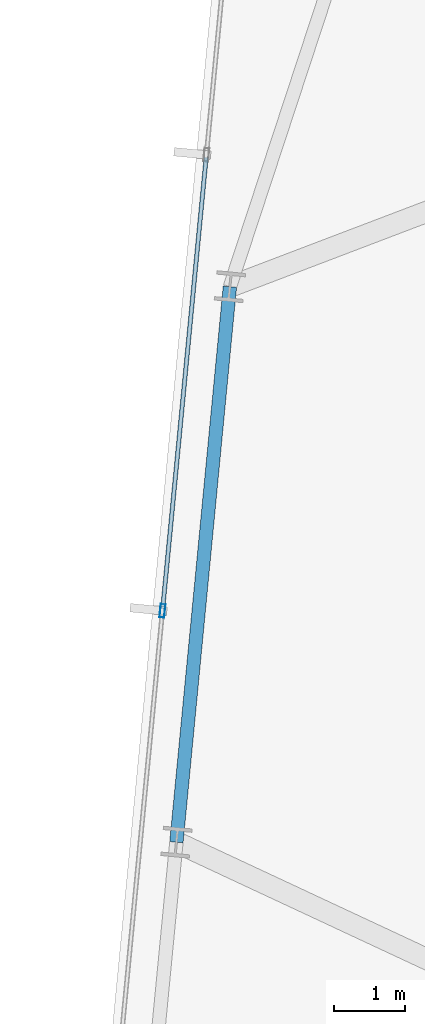
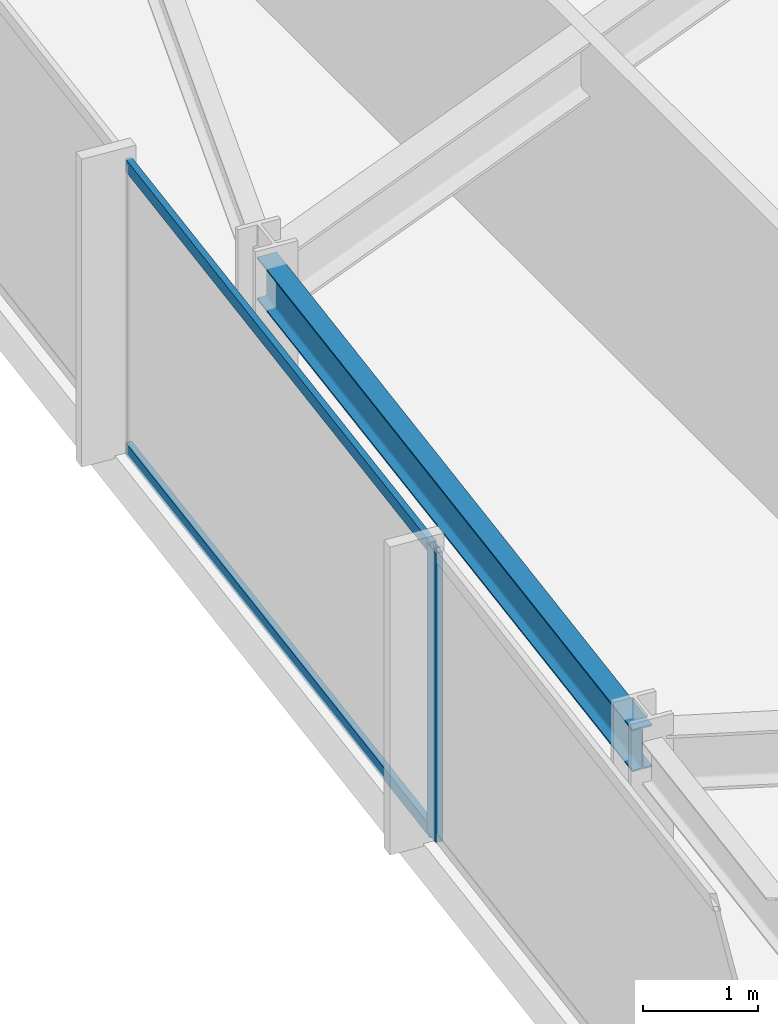
# One storey, part 10 of 37: 3 members, 1 beam, 1 element without a shape of its own.
"""IFC4 building model written with IfcOpenShell, lengths in metres."""

from ifc_helpers import new_model, si_unit, direction, frame, origin, origin_2d, place, context, subcontext, project, spatial, hollow_rectangle, i_section, extrude, material, material_profile, profile_set, type_object, element, aggregate, save


model = new_model("IFC4")

# Units and contexts
model_context = context("Model", 3, precision=1e-05, world=origin(), true_north=direction((0.0, 1.0)))
body_context = subcontext(model_context, "Body", "Model", "MODEL_VIEW")
ifc_project = project(units=[si_unit("LENGTHUNIT", "METRE"), si_unit("AREAUNIT", "SQUARE_METRE"), si_unit("VOLUMEUNIT", "CUBIC_METRE"), si_unit("PLANEANGLEUNIT", "RADIAN"), si_unit("MASSUNIT", "GRAM", prefix="KILO")], contexts=[model_context])

# Site, building, storey
site_placement = place(None, origin())
site = spatial("IfcSite", under=ifc_project, at=site_placement, CompositionType="ELEMENT")
building_placement = place(site_placement, origin())
building = spatial("IfcBuilding", under=site, at=building_placement, Name="Yelkora Congress Tower", CompositionType="ELEMENT")
storey_placement = place(building_placement, frame((0.0, 0.0, 149.0)))
storey = spatial("IfcBuildingStorey", under=building, at=storey_placement, Name="L40", CompositionType="ELEMENT", Elevation=149.0)

# Beam
ifc_material_1 = material(Name="Steel S355J2", Category="steel")
ifc_material_profile_1 = material_profile(ifc_material_1, i_section(OverallWidth=0.18994140625, OverallDepth=0.449951171875, WebThickness=0.009521484375, FlangeThickness=0.0146484375, FilletRadius=0.02099609375, at=origin_2d()), Name="IPE 450")
ifc_profile_set_1 = profile_set([ifc_material_profile_1], Name="Steel S355J2")
beam_type = type_object("IfcBeamType", Name="BM-SPAN-IPE450", PredefinedType="SPANDREL", material=ifc_profile_set_1)
beam_placement = place(storey_placement, frame((4.121826171875, 40.4580078125, 2.85498046875), z_axis=(-0.095864922257, -0.995394352345, 0.0), x_axis=(0.995394352345, -0.095864922257, 0.0)))
element("IfcBeam", 1, at=beam_placement, inside=storey, type_object=beam_type, Name="L40 Perimeter Beam 17", PredefinedType="SPANDREL", context=body_context, shape_type="SweptSolid", body=[
    extrude(i_section(OverallWidth=0.18994140625, OverallDepth=0.449951171875, WebThickness=0.009521484375, FlangeThickness=0.0146484375, FilletRadius=0.02099609375, at=origin_2d()), origin(), (0.0, 0.0, 1.0), 7.89990234375),
])

# Curtain wall, members
ifc_material_2 = material(Name="Anodised aluminium and insulated glass", Category="aluminium")
curtain_wall_type = type_object("IfcCurtainWallType", Name="CW-SYS-B3", PredefinedType="NOTDEFINED", material=ifc_material_2)
curtain_wall_placement = place(storey_placement, origin())
curtain_wall = element("IfcCurtainWall", 2, at=curtain_wall_placement, inside=storey, type_object=curtain_wall_type, Name="L40 Unitised Curtain Wall 5", PredefinedType="NOTDEFINED")
ifc_material_3 = material(Name="Anodised aluminium 6063-T6", Category="aluminium")
ifc_material_profile_2 = material_profile(ifc_material_3, hollow_rectangle(XDim=0.070068359375, YDim=0.18994140625, WallThickness=0.00390625, at=origin_2d()), Name="ALU 70x190x4")
ifc_profile_set_2 = profile_set([ifc_material_profile_2], Name="Anodised aluminium 6063-T6")
member_type_1 = type_object("IfcMemberType", Name="MEM-ML-B3", PredefinedType="MULLION", material=ifc_profile_set_2)
member_1_placement = place(storey_placement, frame((3.167724609375, 35.870361328125, 0.0), z_axis=(0.0, 0.0, 1.0), x_axis=(-0.995396242473, 0.095845294465, 0.0)))
member_1 = element("IfcMember", 3, at=member_1_placement, type_object=member_type_1, Name="CW-B3 mullion 4", PredefinedType="MULLION", context=body_context, shape_type="SweptSolid", body=[
    extrude(hollow_rectangle(XDim=0.070068359375, YDim=0.18994140625, WallThickness=0.00390625, at=origin_2d()), origin(), (0.0, 0.0, 1.0), 3.080078125),
])
ifc_material_profile_3 = material_profile(ifc_material_3, hollow_rectangle(XDim=0.06005859375, YDim=0.1298828125, WallThickness=0.00390625, at=origin_2d()), Name="ALU 60x130x4")
ifc_profile_set_3 = profile_set([ifc_material_profile_3], Name="Anodised aluminium 6063-T6")
member_type_2 = type_object("IfcMemberType", Name="MEM-TR-B3", PredefinedType="USERDEFINED", material=ifc_profile_set_3)
member_2_placement = place(storey_placement, frame((3.171142578125, 35.9052734375, 0.030029296875), z_axis=(0.095847313538, 0.995396048057, 0.0), x_axis=(-0.995396048057, 0.095847313538, 0.0)))
member_2 = element("IfcMember", 4, at=member_2_placement, type_object=member_type_2, Name="CW-B3 transom 4.1", ObjectType="TRANSOM", PredefinedType="USERDEFINED", context=body_context, shape_type="SweptSolid", body=[
    extrude(hollow_rectangle(XDim=0.06005859375, YDim=0.1298828125, WallThickness=0.00390625, at=origin_2d()), origin(), (0.0, 0.0, 1.0), 6.413818359375),
])
member_3_placement = place(storey_placement, frame((3.171142578125, 35.9052734375, 3.050048828125), z_axis=(0.095847313538, 0.995396048057, 0.0), x_axis=(-0.995396048057, 0.095847313538, 0.0)))
member_3 = element("IfcMember", 5, at=member_3_placement, type_object=member_type_2, Name="CW-B3 transom 4.2", ObjectType="TRANSOM", PredefinedType="USERDEFINED", context=body_context, shape_type="SweptSolid", body=[
    extrude(hollow_rectangle(XDim=0.06005859375, YDim=0.1298828125, WallThickness=0.00390625, at=origin_2d()), origin(), (0.0, 0.0, 1.0), 6.413818359375),
])
aggregate(curtain_wall, [member_1, member_2, member_3])

save(model, "model.ifc")
